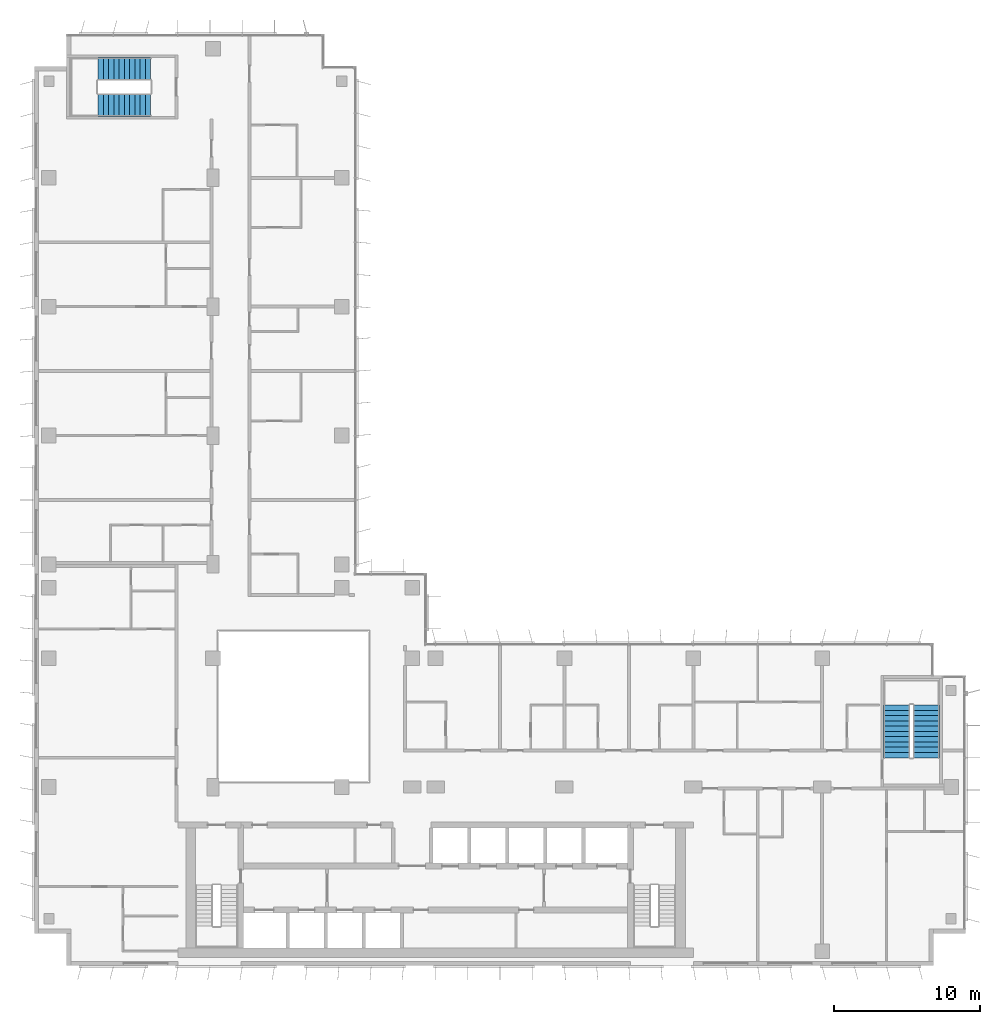
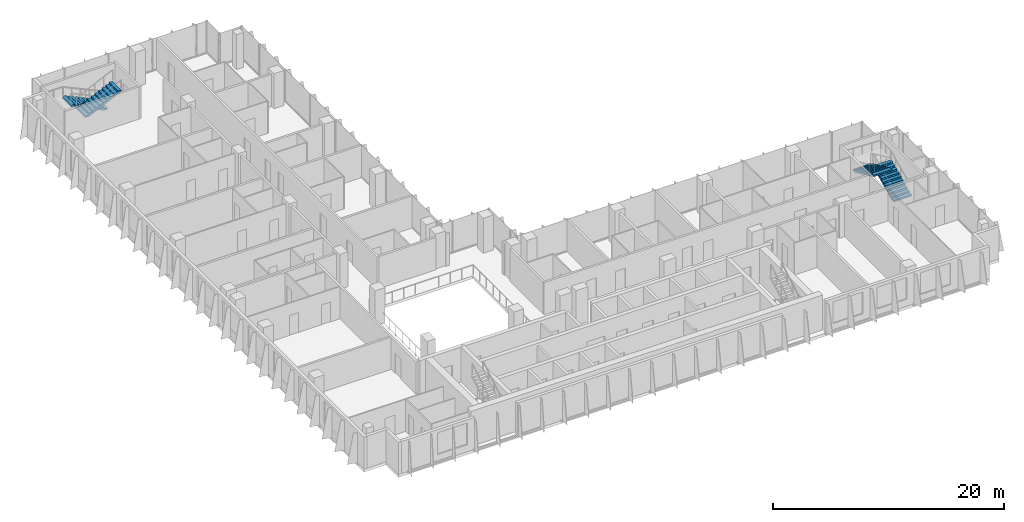
# One storey, part 18 of 21: 4 stair flights, 2 elements without a shape of their own.
"""IFC4 building model written with IfcOpenShell, lengths in metres."""

import ifcopenshell
import ifcopenshell.guid

model = None  # the IFC model being written
_history = None  # IfcOwnerHistory: only IFC2X3 demands one
_inside = {}  # id of a spatial element -> (the spatial element, [elements in it])
_under = {}  # id of a project, library or spatial element -> (it, [spatial elements below it])
_declared = {}  # id of a project -> (the project, [libraries it declares])
_typed = {}  # id of a type object -> (the type object, [elements of that type])
_made_of = {}  # id of a material, layer set ... -> (it, [elements and type objects made of it])


def new_model(schema):
    """Start an empty IFC model of exactly this schema.

    Asked for "IFC4X3", IfcOpenShell would pick the latest addendum, in which some entities
    have other attributes; the version numbers below select the first issue.
    IFC2X3 requires an IfcOwnerHistory on every rooted entity: one is made here for all.
    """
    global model, _history
    if schema == "IFC4X3":
        model = ifcopenshell.file(schema_version=(4, 3, 0, 0))
    else:
        model = ifcopenshell.file(schema=schema)
    _inside.clear()
    _under.clear()
    _declared.clear()
    _typed.clear()
    _made_of.clear()
    _history = None
    if model.schema == "IFC2X3":
        org = make("IfcOrganization", Name="unknown")
        user = make(
            "IfcPersonAndOrganization",
            ThePerson=make("IfcPerson", FamilyName="unknown"),
            TheOrganization=org,
        )
        app = make(
            "IfcApplication",
            ApplicationDeveloper=org,
            Version="unknown",
            ApplicationFullName="unknown",
            ApplicationIdentifier="unknown",
        )
        _history = make(
            "IfcOwnerHistory",
            OwningUser=user,
            OwningApplication=app,
            ChangeAction="ADDED",
            CreationDate=0,
        )
    return model


def make(cls, **values):
    """One entity of the class cls with the attributes given. An attribute that is None is left unset."""
    return model.create_entity(
        cls, **{name: value for name, value in values.items() if value is not None}
    )


def rooted(cls, **values):
    """An entity with a GlobalId (a new one), such as an element, a storey or a relation."""
    return make(cls, GlobalId=ifcopenshell.guid.new(), OwnerHistory=_history, **values)


def si_unit(unit_type, name, prefix=None):
    """IfcSIUnit, for example si_unit("LENGTHUNIT", "METRE", prefix="MILLI")."""
    return make("IfcSIUnit", UnitType=unit_type, Prefix=prefix, Name=name)


def assignment(units):
    """IfcUnitAssignment: the units of a project."""
    return None if units is None else make("IfcUnitAssignment", Units=units)


def point(xyz):
    """IfcCartesianPoint."""
    return None if xyz is None else make("IfcCartesianPoint", Coordinates=xyz)


def direction(xyz):
    """IfcDirection."""
    return None if xyz is None else make("IfcDirection", DirectionRatios=xyz)


def frame(location, z_axis=None, x_axis=None):
    """IfcAxis2Placement3D, a coordinate frame: its origin and axes. An axis left out is left unset."""
    return make(
        "IfcAxis2Placement3D",
        Location=point(location),
        Axis=direction(z_axis),
        RefDirection=direction(x_axis),
    )


def origin():
    """The frame at (0, 0, 0) with its axes left unset."""
    return frame((0.0, 0.0, 0.0))


def place(relative_to, where):
    """IfcLocalPlacement: puts the frame where relative to a parent placement (None: the world)."""
    return make(
        "IfcLocalPlacement", PlacementRelTo=relative_to, RelativePlacement=where
    )


def context(
    kind, dimensions, precision=None, world=None, true_north=None, identifier=None
):
    """IfcGeometricRepresentationContext, for example the 3D "Model" context."""
    return make(
        "IfcGeometricRepresentationContext",
        ContextIdentifier=identifier,
        ContextType=kind,
        CoordinateSpaceDimension=dimensions,
        Precision=precision,
        WorldCoordinateSystem=world,
        TrueNorth=true_north,
    )


def subcontext(parent, identifier, kind, view, scale=None):
    """IfcGeometricRepresentationSubContext, for example "Body" below "Model"."""
    return make(
        "IfcGeometricRepresentationSubContext",
        ContextIdentifier=identifier,
        ContextType=kind,
        ParentContext=parent,
        TargetScale=scale,
        TargetView=view,
    )


def project(units=None, contexts=None):
    """IfcProject with its units and contexts."""
    return rooted(
        "IfcProject",
        Name="project",
        RepresentationContexts=contexts,
        UnitsInContext=assignment(units),
    )


def spatial(cls, under=None, at=None, **own):
    """A site, building, storey or space (cls), placed at a placement, below another one or the project."""
    s = rooted(cls, ObjectPlacement=at, **own)
    if under is not None:
        _under.setdefault(under.id(), (under, []))[1].append(s)
    return s


def polyline(points):
    """IfcPolyline through the points."""
    return make("IfcPolyline", Points=[point(p) for p in points])


def outline(outer, holes=None, kind="AREA"):
    """IfcArbitraryClosedProfileDef: a profile drawn as a closed curve; with holes, ...WithVoids."""
    if holes is None:
        return make("IfcArbitraryClosedProfileDef", ProfileType=kind, OuterCurve=outer)
    return make(
        "IfcArbitraryProfileDefWithVoids",
        ProfileType=kind,
        OuterCurve=outer,
        InnerCurves=holes,
    )


def extrude(swept, where, along, depth):
    """IfcExtrudedAreaSolid: the profile swept, set in the frame where, extruded along a direction by depth."""
    return make(
        "IfcExtrudedAreaSolid",
        SweptArea=swept,
        Position=where,
        ExtrudedDirection=direction(along),
        Depth=depth,
    )


def shape(context_of_items, identifier, shape_type, items):
    """IfcShapeRepresentation: the items that make up one representation, for example the "Body"."""
    return make(
        "IfcShapeRepresentation",
        ContextOfItems=context_of_items,
        RepresentationIdentifier=identifier,
        RepresentationType=shape_type,
        Items=items,
    )


def material(Name=None, Category=None):
    """IfcMaterial."""
    return make("IfcMaterial", Name=Name, Category=Category)


def made_of(thing, what):
    """Note that an element or type object is made of a material, layer set ...; save() writes the relation."""
    if what is not None:
        _made_of.setdefault(what.id(), (what, []))[1].append(thing)
    return thing


def type_object(cls, material=None, **own):
    """A type object (cls), such as IfcWallType, which elements share."""
    return made_of(rooted(cls, **own), material)


def element(
    cls,
    number,
    at=None,
    inside=None,
    cuts=None,
    type_object=None,
    material=None,
    context=None,
    identifier="Body",
    shape_type=None,
    held_by="IfcProductDefinitionShape",
    body=None,
    shapes=None,
    **own,
):
    """One element of the class cls, such as IfcWall. Its Tag is "e" and its number.

    at: its placement. inside: the storey or other place that contains it. cuts: it is an
    opening in that element (IfcRelVoidsElement). A single representation is given by context,
    identifier, shape_type and body (its items); several are given by shapes. held_by: the class
    of the entity that holds the representations. save() writes the other relations.
    """
    e = rooted(cls, Tag="e%d" % number, ObjectPlacement=at, **own)
    if body is not None:
        shapes = [shape(context, identifier, shape_type, body)]
    if shapes is not None:
        e.Representation = make(held_by, Representations=shapes)
    if inside is not None:
        _inside.setdefault(inside.id(), (inside, []))[1].append(e)
    if cuts is not None:
        rooted(
            "IfcRelVoidsElement", RelatingBuildingElement=cuts, RelatedOpeningElement=e
        )
    if type_object is not None:
        _typed.setdefault(type_object.id(), (type_object, []))[1].append(e)
    return made_of(e, material)


def aggregate(whole, parts):
    """IfcRelAggregates: a whole, such as a stair, and the parts it consists of."""
    return rooted("IfcRelAggregates", RelatingObject=whole, RelatedObjects=parts)


def save(model, path):
    """Write the relations noted so far, then the file.

    IfcRelAggregates (storeys below a building ...), IfcRelContainedInSpatialStructure (elements
    in a storey), IfcRelDefinesByType, IfcRelAssociatesMaterial and IfcRelDeclares: one each for
    every whole, place, type object, material and project.
    """
    for whole, parts in _under.values():
        aggregate(whole, parts)
    for where, things in _inside.values():
        rooted(
            "IfcRelContainedInSpatialStructure",
            RelatedElements=things,
            RelatingStructure=where,
        )
    for kind, things in _typed.values():
        rooted("IfcRelDefinesByType", RelatedObjects=things, RelatingType=kind)
    for what, things in _made_of.values():
        rooted("IfcRelAssociatesMaterial", RelatedObjects=things, RelatingMaterial=what)
    for by, libraries in _declared.values():
        rooted("IfcRelDeclares", RelatingContext=by, RelatedDefinitions=libraries)
    model.write(path)


model = new_model("IFC4")

# Units and contexts
model_context = context("Model", 3, precision=1e-05, world=origin(), true_north=direction((0.0, 1.0)))
body_context = subcontext(model_context, "Body", "Model", "MODEL_VIEW")
ifc_project = project(units=[si_unit("LENGTHUNIT", "METRE"), si_unit("AREAUNIT", "SQUARE_METRE"), si_unit("VOLUMEUNIT", "CUBIC_METRE"), si_unit("PLANEANGLEUNIT", "RADIAN"), si_unit("MASSUNIT", "GRAM", prefix="KILO")], contexts=[model_context])

# Site, building, storey
site_placement = place(None, origin())
site = spatial("IfcSite", under=ifc_project, at=site_placement, CompositionType="ELEMENT")
building_placement = place(site_placement, origin())
building = spatial("IfcBuilding", under=site, at=building_placement, Name="Kemantara Hotel Tower", CompositionType="ELEMENT")
storey_placement = place(building_placement, frame((0.0, 0.0, 211.699951171875)))
storey = spatial("IfcBuildingStorey", under=building, at=storey_placement, Name="L52", CompositionType="ELEMENT", Elevation=211.699951171875)

# Stair, stair flights
ifc_material = material(Name="Concrete fc 40 MPa", Category="concrete")
stair_type_1 = type_object("IfcStairType", Name="Stair 1550 wide 22 risers of 168 x 360 mm", PredefinedType="HALF_TURN_STAIR", material=ifc_material)
stair_1_placement = place(storey_placement, origin())
stair_1 = element("IfcStair", 1, at=stair_1_placement, inside=storey, type_object=stair_type_1, Name="L52 Exit stair ST4", PredefinedType="HALF_TURN_STAIR")
stair_flight_type_1 = type_object("IfcStairFlightType", Name="Stair flight 1550 wide 168 x 360 mm", PredefinedType="STRAIGHT", material=ifc_material)
stair_flight_1_placement = place(storey_placement, frame((7.949951171875, 61.22509765625, 0.0), z_axis=(0.0, 0.0, 1.0), x_axis=(-1.0, 0.0, 0.0)))
stair_flight_1 = element("IfcStairFlight", 2, at=stair_flight_1_placement, type_object=stair_flight_type_1, Name="ST4 flight 1", NumberOfRisers=11, NumberOfTreads=10, PredefinedType="STRAIGHT", RiserHeight=0.168181818, TreadLength=0.36, context=body_context, shape_type="SweptSolid", body=[
    extrude(outline(polyline([(0.0, 0.0), (0.0, 0.168212890625), (0.360107421875, 0.168212890625), (0.360107421875, 0.33642578125), (0.719970703125, 0.33642578125), (0.719970703125, 0.504638671875), (1.080078125, 0.504638671875), (1.080078125, 0.672607421875), (1.43994140625, 0.672607421875), (1.43994140625, 0.8408203125), (1.800048828125, 0.8408203125), (1.800048828125, 1.009033203125), (2.159912109375, 1.009033203125), (2.159912109375, 1.17724609375), (2.52001953125, 1.17724609375), (2.52001953125, 1.345458984375), (2.8798828125, 1.345458984375), (2.8798828125, 1.513671875), (3.239990234375, 1.513671875), (3.239990234375, 1.681884765625), (3.60009765625, 1.681884765625), (3.60009765625, 1.85009765625), (3.60009765625, 1.516357421875), (0.354248046875, 0.0), (0.0, 0.0)])), frame((0.0, 0.77490234375, 0.0), z_axis=(0.0, -1.0, 0.0), x_axis=(1.0, 0.0, 0.0)), (0.0, 0.0, 1.0), 1.550048828125),
])
stair_flight_2_placement = place(storey_placement, frame((4.35009765625, 58.77490234375, 1.85009765625), z_axis=(0.0, 0.0, 1.0), x_axis=(1.0, 0.0, 0.0)))
stair_flight_2 = element("IfcStairFlight", 3, at=stair_flight_2_placement, type_object=stair_flight_type_1, Name="ST4 flight 2", NumberOfRisers=11, NumberOfTreads=10, PredefinedType="STRAIGHT", RiserHeight=0.168181818, TreadLength=0.36, context=body_context, shape_type="SweptSolid", body=[
    extrude(outline(polyline([(0.0, 0.0), (0.0, 0.168212890625), (0.360107421875, 0.168212890625), (0.360107421875, 0.33642578125), (0.719970703125, 0.33642578125), (0.719970703125, 0.504638671875), (1.080078125, 0.504638671875), (1.080078125, 0.672607421875), (1.43994140625, 0.672607421875), (1.43994140625, 0.8408203125), (1.800048828125, 0.8408203125), (1.800048828125, 1.009033203125), (2.159912109375, 1.009033203125), (2.159912109375, 1.17724609375), (2.52001953125, 1.17724609375), (2.52001953125, 1.345458984375), (2.8798828125, 1.345458984375), (2.8798828125, 1.513671875), (3.239990234375, 1.513671875), (3.239990234375, 1.681884765625), (3.60009765625, 1.681884765625), (3.60009765625, 1.85009765625), (3.60009765625, 1.516357421875), (0.354248046875, 0.0), (0.0, 0.0)])), frame((0.0, 0.77490234375, 0.0), z_axis=(0.0, -1.0, 0.0), x_axis=(1.0, 0.0, 0.0)), (0.0, 0.0, 1.0), 1.550048828125),
])
aggregate(stair_1, [stair_flight_1, stair_flight_2])

stair_type_2 = type_object("IfcStairType", Name="Stair 1800 wide 22 risers of 168 x 360 mm", PredefinedType="HALF_TURN_STAIR", material=ifc_material)
stair_2_placement = place(storey_placement, origin())
stair_2 = element("IfcStair", 4, at=stair_2_placement, inside=storey, type_object=stair_type_2, Name="L52 Exit stair ST3", PredefinedType="HALF_TURN_STAIR")
stair_flight_type_2 = type_object("IfcStairFlightType", Name="Stair flight 1800 wide 168 x 360 mm", PredefinedType="STRAIGHT", material=ifc_material)
stair_flight_3_placement = place(storey_placement, frame((60.89990234375, 14.199951171875, 0.0), z_axis=(0.0, 0.0, 1.0), x_axis=(0.0, 1.0, 0.0)))
stair_flight_3 = element("IfcStairFlight", 5, at=stair_flight_3_placement, type_object=stair_flight_type_2, Name="ST3 flight 1", NumberOfRisers=11, NumberOfTreads=10, PredefinedType="STRAIGHT", RiserHeight=0.168181818, TreadLength=0.36, context=body_context, shape_type="SweptSolid", body=[
    extrude(outline(polyline([(0.0, 0.0), (0.0, 0.168212890625), (0.360107421875, 0.168212890625), (0.360107421875, 0.33642578125), (0.719970703125, 0.33642578125), (0.719970703125, 0.504638671875), (1.080078125, 0.504638671875), (1.080078125, 0.672607421875), (1.43994140625, 0.672607421875), (1.43994140625, 0.8408203125), (1.800048828125, 0.8408203125), (1.800048828125, 1.009033203125), (2.159912109375, 1.009033203125), (2.159912109375, 1.17724609375), (2.52001953125, 1.17724609375), (2.52001953125, 1.345458984375), (2.8798828125, 1.345458984375), (2.8798828125, 1.513671875), (3.239990234375, 1.513671875), (3.239990234375, 1.681884765625), (3.60009765625, 1.681884765625), (3.60009765625, 1.85009765625), (3.60009765625, 1.516357421875), (0.354248046875, 0.0), (0.0, 0.0)])), frame((0.0, 0.89990234375, 0.0), z_axis=(0.0, -1.0, 0.0), x_axis=(1.0, 0.0, 0.0)), (0.0, 0.0, 1.0), 1.800048828125),
])
stair_flight_4_placement = place(storey_placement, frame((58.89990234375, 17.800048828125, 1.85009765625), z_axis=(0.0, 0.0, 1.0), x_axis=(0.0, -1.0, 0.0)))
stair_flight_4 = element("IfcStairFlight", 6, at=stair_flight_4_placement, type_object=stair_flight_type_2, Name="ST3 flight 2", NumberOfRisers=11, NumberOfTreads=10, PredefinedType="STRAIGHT", RiserHeight=0.168181818, TreadLength=0.36, context=body_context, shape_type="SweptSolid", body=[
    extrude(outline(polyline([(0.0, 0.0), (0.0, 0.168212890625), (0.360107421875, 0.168212890625), (0.360107421875, 0.33642578125), (0.719970703125, 0.33642578125), (0.719970703125, 0.504638671875), (1.080078125, 0.504638671875), (1.080078125, 0.672607421875), (1.43994140625, 0.672607421875), (1.43994140625, 0.8408203125), (1.800048828125, 0.8408203125), (1.800048828125, 1.009033203125), (2.159912109375, 1.009033203125), (2.159912109375, 1.17724609375), (2.52001953125, 1.17724609375), (2.52001953125, 1.345458984375), (2.8798828125, 1.345458984375), (2.8798828125, 1.513671875), (3.239990234375, 1.513671875), (3.239990234375, 1.681884765625), (3.60009765625, 1.681884765625), (3.60009765625, 1.85009765625), (3.60009765625, 1.516357421875), (0.354248046875, 0.0), (0.0, 0.0)])), frame((0.0, 0.89990234375, 0.0), z_axis=(0.0, -1.0, 0.0), x_axis=(1.0, 0.0, 0.0)), (0.0, 0.0, 1.0), 1.800048828125),
])
aggregate(stair_2, [stair_flight_3, stair_flight_4])

save(model, "model.ifc")
